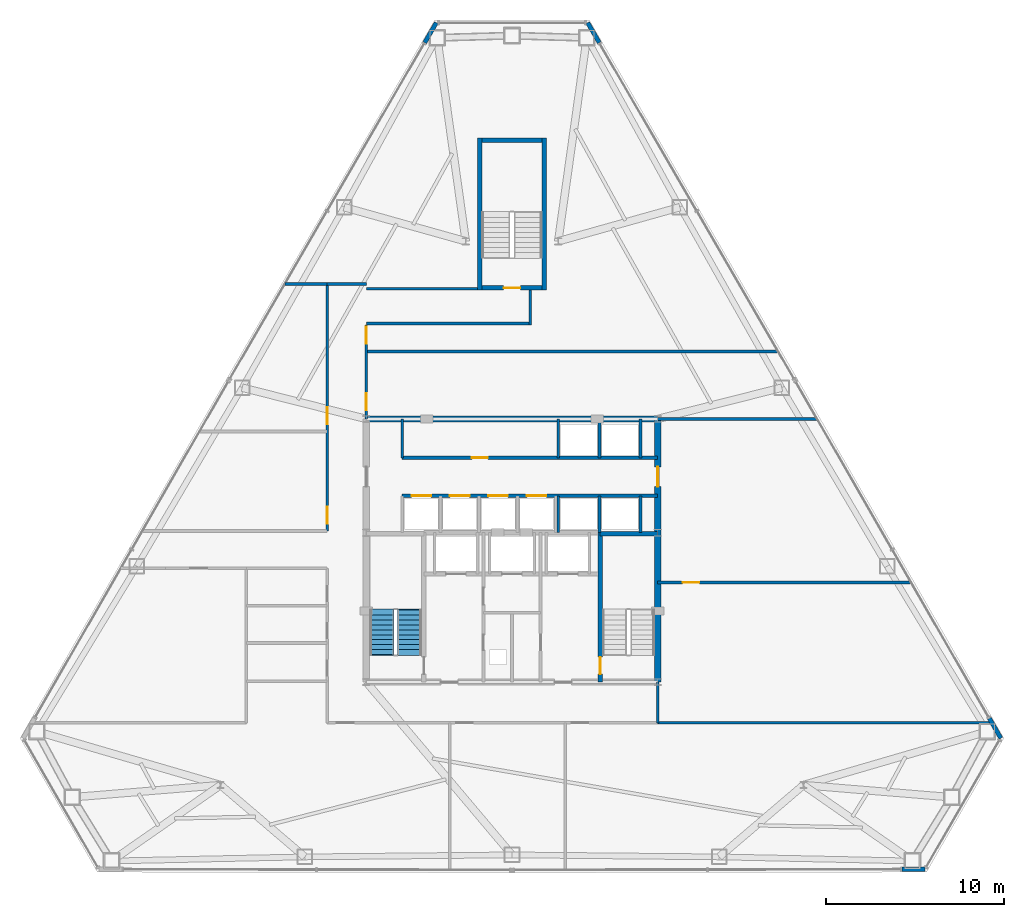
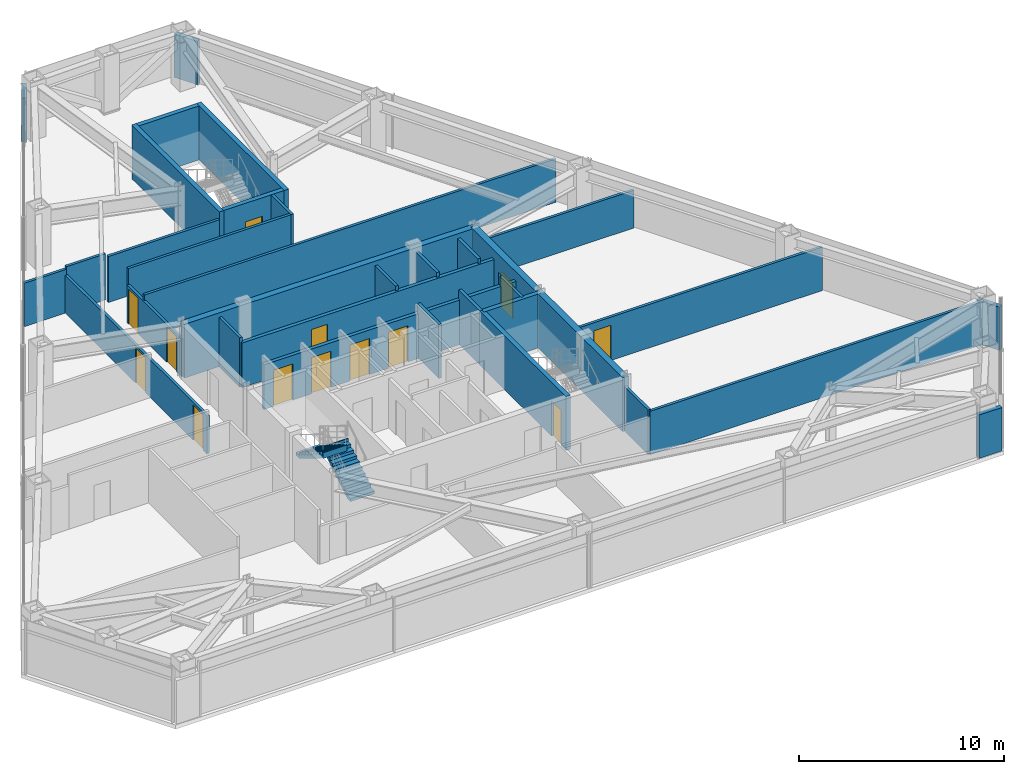
# One storey, part 11 of 13: 33 walls, 13 doors, 2 stair flights, 13 openings, 1 element without a shape of its own.
"""IFC4 building model written with IfcOpenShell, lengths in metres."""

from ifc_helpers import new_model, si_unit, direction, frame, frame_2d, origin, place, context, subcontext, project, spatial, polyline, rectangle, outline, extrude, material, layer, layer_set, type_object, element, fill, aggregate, save


model = new_model("IFC4")

# Units and contexts
model_context = context("Model", 3, precision=1e-05, world=origin(), true_north=direction((0.0, 1.0)))
body_context = subcontext(model_context, "Body", "Model", "MODEL_VIEW")
ifc_project = project(units=[si_unit("LENGTHUNIT", "METRE"), si_unit("AREAUNIT", "SQUARE_METRE"), si_unit("VOLUMEUNIT", "CUBIC_METRE"), si_unit("PLANEANGLEUNIT", "RADIAN"), si_unit("MASSUNIT", "GRAM", prefix="KILO")], contexts=[model_context])

# Site, building, storey
site_placement = place(None, origin())
site = spatial("IfcSite", under=ifc_project, at=site_placement, CompositionType="ELEMENT")
building_placement = place(site_placement, origin())
building = spatial("IfcBuilding", under=site, at=building_placement, Name="Varakhsha Concourse Tower", CompositionType="ELEMENT")
storey_placement = place(building_placement, frame((0.0, 0.0, 122.89990234375)))
storey = spatial("IfcBuildingStorey", under=building, at=storey_placement, Name="L35", CompositionType="ELEMENT", Elevation=122.89990234375)

# Wall
ifc_material_1 = material(Name="Concrete fc 65 MPa", Category="concrete")
ifc_layer_1 = layer(ifc_material_1, 0.35009765625, Name="WL-CORE-350")
ifc_layer_set_1 = layer_set([ifc_layer_1], Name="Concrete fc 65 MPa")
wall_type_1 = type_object("IfcWallType", Name="WL-CORE-350", PredefinedType="SHEAR", material=ifc_layer_set_1)
wall_1_placement = place(storey_placement, frame((31.800048828125, 31.199951171875, 0.0), z_axis=(0.0, 0.0, 1.0), x_axis=(1.0, 0.0, 0.0)))
element("IfcWall", 1, at=wall_1_placement, inside=storey, type_object=wall_type_1, Name="L35 Wall CWALL-N-L35", PredefinedType="SHEAR", context=body_context, shape_type="SweptSolid", body=[
    extrude(rectangle(XDim=16.39990234375, YDim=0.35009765625, at=frame_2d((8.199951171875, 0.0))), origin(), (0.0, 0.0, 1.0), 3.210205078125),
])

# Wall, opening, door
wall_2_placement = place(storey_placement, frame((48.199951171875, 16.39990234375, 0.0), z_axis=(0.0, 0.0, 1.0), x_axis=(0.0, 1.0, 0.0)))
wall_2 = element("IfcWall", 2, at=wall_2_placement, inside=storey, type_object=wall_type_1, Name="L35 Wall CWALL-E-L35", PredefinedType="SHEAR", context=body_context, shape_type="SweptSolid", body=[
    extrude(rectangle(XDim=14.800048828125, YDim=0.35009765625, at=frame_2d((7.39990234375, 0.0))), origin(), (0.0, 0.0, 1.0), 3.210205078125),
])
opening_1_placement = place(wall_2_placement, frame((11.0, 0.0, 0.0)))
opening_1 = element("IfcOpeningElement", 3, at=opening_1_placement, cuts=wall_2, Name="Opening DL-01", PredefinedType="OPENING", context=body_context, shape_type="SweptSolid", body=[
    extrude(rectangle(XDim=1.10009765625, YDim=2.14990234375, at=frame_2d((0.550048828125, 1.074951171875))), frame((0.0, 0.18505859375, 0.0), z_axis=(0.0, -1.0, 0.0), x_axis=(1.0, 0.0, 0.0)), (0.0, 0.0, 1.0), 0.3701171875),
])
ifc_material_2 = material(Name="Anodised Bronze Architectural Aluminium AA 6063-T6", Category="aluminium")
door_type_1 = type_object("IfcDoorType", Name="DR-LOB-1100", OperationType="NOTDEFINED", PredefinedType="DOOR", material=ifc_material_2)
door_1_placement = place(opening_1_placement, origin())
door_1 = element("IfcDoor", 4, at=door_1_placement, inside=storey, type_object=door_type_1, Name="L35 Lift Lobby East Concourse Door", OperationType="SINGLE_SWING_RIGHT", OverallHeight=2.14990234375, OverallWidth=1.10009765625, PredefinedType="DOOR", context=body_context, shape_type="SweptSolid", body=[
    extrude(rectangle(XDim=1.10009765625, YDim=2.14990234375, at=frame_2d((0.550048828125, 1.074951171875))), frame((0.0, 0.02490234375, 0.0), z_axis=(0.0, -1.0, 0.0), x_axis=(1.0, 0.0, 0.0)), (0.0, 0.0, 1.0), 0.050048828125),
])
fill(opening_1, door_1)

# Walls
ifc_material_3 = material(Name="Concrete fc 45 MPa", Category="concrete")
ifc_layer_2 = layer(ifc_material_3, 0.239990234375, Name="WL-EXT-CRN-240")
ifc_layer_set_2 = layer_set([ifc_layer_2], Name="Concrete fc 45 MPa")
wall_type_2 = type_object("IfcWallType", Name="WL-EXT-CRN-240", PredefinedType="SHEAR", material=ifc_layer_set_2)
wall_3_placement = place(storey_placement, frame((35.74072265625, 53.5029296875, 0.0), z_axis=(0.0, 0.0, 1.0), x_axis=(-0.501501953854, -0.865156512014, 0.0)))
element("IfcWall", 5, at=wall_3_placement, inside=storey, type_object=wall_type_2, Name="L35 Wind-Corner Shoulder Wall F2", PredefinedType="SHEAR", context=body_context, shape_type="SweptSolid", body=[
    extrude(rectangle(XDim=1.3017578125, YDim=0.239990234375, at=frame_2d((0.65087890625, 0.0))), origin(), (0.0, 0.0, 1.0), 2.5830078125),
])
wall_4_placement = place(storey_placement, frame((61.94580078125, 5.857666015625, 0.0), z_axis=(0.0, 0.0, 1.0), x_axis=(0.999998574928, 0.001688236199, 0.0)))
element("IfcWall", 6, at=wall_4_placement, inside=storey, type_object=wall_type_2, Name="L35 Wind-Corner Shoulder Wall F6", PredefinedType="SHEAR", context=body_context, shape_type="SweptSolid", body=[
    extrude(rectangle(XDim=1.301513671875, YDim=0.239990234375, at=frame_2d((0.65087890625, 0.0))), origin(), (0.0, 0.0, 1.0), 2.5830078125),
])
wall_5_placement = place(storey_placement, frame((67.506591796875, 13.2373046875, 0.0), z_axis=(0.0, 0.0, 1.0), x_axis=(-0.498460550087, 0.86691238312, 0.0)))
element("IfcWall", 7, at=wall_5_placement, inside=storey, type_object=wall_type_2, Name="L35 Wind-Corner Shoulder Wall F8", PredefinedType="SHEAR", context=body_context, shape_type="SweptSolid", body=[
    extrude(rectangle(XDim=1.30126953125, YDim=0.239990234375, at=frame_2d((0.650634765625, 0.0))), origin(), (0.0, 0.0, 1.0), 2.5830078125),
])
wall_6_placement = place(storey_placement, frame((44.912109375, 52.376708984375, 0.0), z_axis=(0.0, 0.0, 1.0), x_axis=(-0.501501953854, 0.865156512014, 0.0)))
element("IfcWall", 8, at=wall_6_placement, inside=storey, type_object=wall_type_2, Name="L35 Wind-Corner Shoulder Wall F9", PredefinedType="SHEAR", context=body_context, shape_type="SweptSolid", body=[
    extrude(rectangle(XDim=1.3017578125, YDim=0.239990234375, at=frame_2d((0.65087890625, 0.0))), origin(), (0.0, 0.0, 1.0), 2.5830078125),
])
ifc_material_4 = material(Name="Fire-Rated Type X Gypsum Partition Assembly", Category="gypsum")
ifc_layer_3 = layer(ifc_material_4, 0.14990234375, Name="WL-PART-150")
ifc_layer_set_3 = layer_set([ifc_layer_3], Name="Fire-Rated Type X Gypsum Partition Assembly")
wall_type_3 = type_object("IfcWallType", Name="WL-PART-150", PredefinedType="PARTITIONING", material=ifc_layer_set_3)
wall_7_placement = place(storey_placement, frame((48.199951171875, 14.10009765625, 0.0), z_axis=(0.0, 0.0, 1.0), x_axis=(0.0, 1.0, 0.0)))
element("IfcWall", 9, at=wall_7_placement, inside=storey, type_object=wall_type_3, Name="L35 Wall CRW-SE-L35", PredefinedType="PARTITIONING", context=body_context, shape_type="SweptSolid", body=[
    extrude(rectangle(XDim=2.2998046875, YDim=0.14990234375, at=frame_2d((1.14990234375, 0.0))), origin(), (0.0, 0.0, 1.0), 2.6611328125),
])

# Wall, openings, doors
wall_8_placement = place(storey_placement, frame((29.60009765625, 24.89990234375, 0.0), z_axis=(0.0, 0.0, 1.0), x_axis=(0.0, 1.0, 0.0)))
wall_8 = element("IfcWall", 10, at=wall_8_placement, inside=storey, type_object=wall_type_3, Name="L35 Wall CRW-WN-L35", PredefinedType="PARTITIONING", context=body_context, shape_type="SweptSolid", body=[
    extrude(rectangle(XDim=13.900146484375, YDim=0.14990234375, at=frame_2d((6.9501953125, 0.0))), origin(), (0.0, 0.0, 1.0), 2.252197265625),
])
opening_2_placement = place(wall_8_placement, frame((0.39990234375, 0.0, 0.0)))
opening_2 = element("IfcOpeningElement", 11, at=opening_2_placement, cuts=wall_8, Name="Opening DF-05", PredefinedType="OPENING", context=body_context, shape_type="SweptSolid", body=[
    extrude(rectangle(XDim=0.949951171875, YDim=2.10009765625, at=frame_2d((0.47509765625, 1.050048828125))), frame((0.0, 0.0849609375, 0.0), z_axis=(0.0, -1.0, 0.0), x_axis=(1.0, 0.0, 0.0)), (0.0, 0.0, 1.0), 0.169921875),
])
opening_3_placement = place(wall_8_placement, frame((6.0, 0.0, 0.0)))
opening_3 = element("IfcOpeningElement", 12, at=opening_3_placement, cuts=wall_8, Name="Opening DF-05", PredefinedType="OPENING", context=body_context, shape_type="SweptSolid", body=[
    extrude(rectangle(XDim=0.949951171875, YDim=2.10009765625, at=frame_2d((0.47509765625, 1.050048828125))), frame((0.0, 0.0849609375, 0.0), z_axis=(0.0, -1.0, 0.0), x_axis=(1.0, 0.0, 0.0)), (0.0, 0.0, 1.0), 0.169921875),
])
ifc_material_5 = material(Name="Hollow Galvanised Steel Fire Door Assembly", Category="steel")
door_type_2 = type_object("IfcDoorType", Name="DR-FD60-950", OperationType="NOTDEFINED", PredefinedType="DOOR", material=ifc_material_5)
door_2_placement = place(opening_2_placement, origin())
door_2 = element("IfcDoor", 13, at=door_2_placement, inside=storey, type_object=door_type_2, Name="L35 Client Briefing Studio L35-NW Door", OperationType="SINGLE_SWING_RIGHT", OverallHeight=2.10009765625, OverallWidth=0.949951171875, PredefinedType="DOOR", context=body_context, shape_type="SweptSolid", body=[
    extrude(rectangle(XDim=0.949951171875, YDim=2.10009765625, at=frame_2d((0.47509765625, 1.050048828125))), frame((0.0, 0.02490234375, 0.0), z_axis=(0.0, -1.0, 0.0), x_axis=(1.0, 0.0, 0.0)), (0.0, 0.0, 1.0), 0.050048828125),
])
fill(opening_2, door_2)
door_3_placement = place(opening_3_placement, origin())
door_3 = element("IfcDoor", 14, at=door_3_placement, inside=storey, type_object=door_type_2, Name="L35 Strategic Advisory Office Suite L35-W2 Door", OperationType="SINGLE_SWING_LEFT", OverallHeight=2.10009765625, OverallWidth=0.949951171875, PredefinedType="DOOR", context=body_context, shape_type="SweptSolid", body=[
    extrude(rectangle(XDim=0.949951171875, YDim=2.10009765625, at=frame_2d((0.47509765625, 1.050048828125))), frame((0.0, 0.02490234375, 0.0), z_axis=(0.0, -1.0, 0.0), x_axis=(1.0, 0.0, 0.0)), (0.0, 0.0, 1.0), 0.050048828125),
])
fill(opening_3, door_3)

wall_9_placement = place(storey_placement, frame((31.800048828125, 31.199951171875, 0.0), z_axis=(0.0, 0.0, 1.0), x_axis=(0.0, 1.0, 0.0)))
wall_9 = element("IfcWall", 15, at=wall_9_placement, inside=storey, type_object=wall_type_3, Name="L35 Wall CRW-NE-L35", PredefinedType="PARTITIONING", context=body_context, shape_type="SweptSolid", body=[
    extrude(rectangle(XDim=5.300048828125, YDim=0.14990234375, at=frame_2d((2.64990234375, 0.0))), origin(), (0.0, 0.0, 1.0), 2.252197265625),
])
opening_4_placement = place(wall_9_placement, frame((0.5, 0.0, 0.0)))
opening_4 = element("IfcOpeningElement", 16, at=opening_4_placement, cuts=wall_9, Name="Opening DF-05", PredefinedType="OPENING", context=body_context, shape_type="SweptSolid", body=[
    extrude(rectangle(XDim=0.949951171875, YDim=2.10009765625, at=frame_2d((0.47509765625, 1.050048828125))), frame((0.0, 0.0849609375, 0.0), z_axis=(0.0, -1.0, 0.0), x_axis=(1.0, 0.0, 0.0)), (0.0, 0.0, 1.0), 0.169921875),
])
opening_5_placement = place(wall_9_placement, frame((4.22998046875, 0.0, 0.0)))
opening_5 = element("IfcOpeningElement", 17, at=opening_5_placement, cuts=wall_9, Name="Opening DF-05", PredefinedType="OPENING", context=body_context, shape_type="SweptSolid", body=[
    extrude(rectangle(XDim=0.949951171875, YDim=2.10009765625, at=frame_2d((0.47509765625, 1.050048828125))), frame((0.0, 0.0849609375, 0.0), z_axis=(0.0, -1.0, 0.0), x_axis=(1.0, 0.0, 0.0)), (0.0, 0.0, 1.0), 0.169921875),
])
door_4_placement = place(opening_4_placement, origin())
door_4 = element("IfcDoor", 18, at=door_4_placement, inside=storey, type_object=door_type_2, Name="L35 Mountain View Project Controls Workroom L35-NE1 Door", OperationType="SINGLE_SWING_RIGHT", OverallHeight=2.10009765625, OverallWidth=0.949951171875, PredefinedType="DOOR", context=body_context, shape_type="SweptSolid", body=[
    extrude(rectangle(XDim=0.949951171875, YDim=2.10009765625, at=frame_2d((0.47509765625, 1.050048828125))), frame((0.0, 0.02490234375, 0.0), z_axis=(0.0, -1.0, 0.0), x_axis=(1.0, 0.0, 0.0)), (0.0, 0.0, 1.0), 0.050048828125),
])
fill(opening_4, door_4)
door_5_placement = place(opening_5_placement, origin())
door_5 = element("IfcDoor", 19, at=door_5_placement, inside=storey, type_object=door_type_2, Name="L35 Apex Strategic Advisory Office Suite L35-NE2 Door", OperationType="SINGLE_SWING_RIGHT", OverallHeight=2.10009765625, OverallWidth=0.949951171875, PredefinedType="DOOR", context=body_context, shape_type="SweptSolid", body=[
    extrude(rectangle(XDim=0.949951171875, YDim=2.10009765625, at=frame_2d((0.47509765625, 1.050048828125))), frame((0.0, 0.02490234375, 0.0), z_axis=(0.0, -1.0, 0.0), x_axis=(1.0, 0.0, 0.0)), (0.0, 0.0, 1.0), 0.050048828125),
])
fill(opening_5, door_5)

# Walls
wall_10_placement = place(storey_placement, frame((29.60009765625, 38.800048828125, 0.0), z_axis=(0.0, 0.0, 1.0), x_axis=(1.0, 0.0, 0.0)))
element("IfcWall", 20, at=wall_10_placement, inside=storey, type_object=wall_type_3, Name="L35 Wall CRW-NCAP-L35", PredefinedType="PARTITIONING", context=body_context, shape_type="SweptSolid", body=[
    extrude(rectangle(XDim=2.199951171875, YDim=0.14990234375, at=frame_2d((1.10009765625, 0.0))), origin(), (0.0, 0.0, 1.0), 2.7431640625),
])
wall_11_placement = place(storey_placement, frame((27.223388671875, 38.800048828125, 0.0), z_axis=(0.0, 0.0, 1.0), x_axis=(1.0, 0.0, 0.0)))
element("IfcWall", 21, at=wall_11_placement, inside=storey, type_object=wall_type_3, Name="L35 Wall ODIV-NWT-L35", PredefinedType="PARTITIONING", context=body_context, shape_type="SweptSolid", body=[
    extrude(rectangle(XDim=2.376708984375, YDim=0.14990234375, at=frame_2d((1.1884765625, 0.0))), origin(), (0.0, 0.0, 1.0), 2.589111328125),
])
wall_12_placement = place(storey_placement, frame((48.199951171875, 31.199951171875, 0.0), z_axis=(0.0, 0.0, 1.0), x_axis=(1.0, 0.0, 0.0)))
element("IfcWall", 22, at=wall_12_placement, inside=storey, type_object=wall_type_3, Name="L35 Wall ODIV-NEB-L35", PredefinedType="PARTITIONING", context=body_context, shape_type="SweptSolid", body=[
    extrude(rectangle(XDim=8.971923828125, YDim=0.14990234375, at=frame_2d((4.48583984375, 0.0))), origin(), (0.0, 0.0, 1.0), 2.252197265625),
])
wall_13_placement = place(storey_placement, frame((31.800048828125, 35.0, 0.0), z_axis=(0.0, 0.0, 1.0), x_axis=(1.0, 0.0, 0.0)))
element("IfcWall", 23, at=wall_13_placement, inside=storey, type_object=wall_type_3, Name="L35 Wall ODIV-NE1-L35", PredefinedType="PARTITIONING", context=body_context, shape_type="SweptSolid", body=[
    extrude(rectangle(XDim=23.17919921875, YDim=0.14990234375, at=frame_2d((11.589599609375, 0.0))), origin(), (0.0, 0.0, 1.0), 2.589111328125),
])
wall_14_placement = place(storey_placement, frame((48.199951171875, 14.10009765625, 0.0), z_axis=(0.0, 0.0, 1.0), x_axis=(1.0, 0.0, 0.0)))
element("IfcWall", 24, at=wall_14_placement, inside=storey, type_object=wall_type_3, Name="L35 Wall ODIV-EB0-L35", PredefinedType="PARTITIONING", context=body_context, shape_type="SweptSolid", body=[
    extrude(rectangle(XDim=18.804931640625, YDim=0.14990234375, at=frame_2d((9.40234375, 0.0))), origin(), (0.0, 0.0, 1.0), 2.589111328125),
])

# Wall, opening, door
wall_15_placement = place(storey_placement, frame((48.199951171875, 22.0, 0.0), z_axis=(0.0, 0.0, 1.0), x_axis=(1.0, 0.0, 0.0)))
wall_15 = element("IfcWall", 25, at=wall_15_placement, inside=storey, type_object=wall_type_3, Name="L35 Wall ODIV-E1-L35", PredefinedType="PARTITIONING", context=body_context, shape_type="SweptSolid", body=[
    extrude(rectangle(XDim=14.26220703125, YDim=0.14990234375, at=frame_2d((7.131103515625, 0.0))), origin(), (0.0, 0.0, 1.0), 2.589111328125),
])
opening_6_placement = place(wall_15_placement, frame((1.39990234375, 0.0, 0.0)))
opening_6 = element("IfcOpeningElement", 26, at=opening_6_placement, cuts=wall_15, Name="Opening DF-05", PredefinedType="OPENING", context=body_context, shape_type="SweptSolid", body=[
    extrude(rectangle(XDim=0.949951171875, YDim=2.10009765625, at=frame_2d((0.47509765625, 1.050048828125))), frame((0.0, 0.0849609375, 0.0), z_axis=(0.0, -1.0, 0.0), x_axis=(1.0, 0.0, 0.0)), (0.0, 0.0, 1.0), 0.169921875),
])
door_6_placement = place(opening_6_placement, origin())
door_6 = element("IfcDoor", 27, at=door_6_placement, inside=storey, type_object=door_type_2, Name="L35 East Suite Interconnect Door 1", OperationType="SINGLE_SWING_LEFT", OverallHeight=2.10009765625, OverallWidth=0.949951171875, PredefinedType="DOOR", context=body_context, shape_type="SweptSolid", body=[
    extrude(rectangle(XDim=0.949951171875, YDim=2.10009765625, at=frame_2d((0.47509765625, 1.050048828125))), frame((0.0, 0.02490234375, 0.0), z_axis=(0.0, -1.0, 0.0), x_axis=(1.0, 0.0, 0.0)), (0.0, 0.0, 1.0), 0.050048828125),
])
fill(opening_6, door_6)

# Walls
wall_16_placement = place(storey_placement, frame((31.800048828125, 36.574951171875, 0.0), z_axis=(0.0, 0.0, 1.0), x_axis=(1.0, 0.0, 0.0)))
element("IfcWall", 28, at=wall_16_placement, inside=storey, type_object=wall_type_3, Name="L35 Wall STLK-S-L35", PredefinedType="PARTITIONING", context=body_context, shape_type="SweptSolid", body=[
    extrude(rectangle(XDim=9.14990234375, YDim=0.14990234375, at=frame_2d((4.574951171875, 0.0))), origin(), (0.0, 0.0, 1.0), 3.210205078125),
])
wall_17_placement = place(storey_placement, frame((31.800048828125, 38.52490234375, 0.0), z_axis=(0.0, 0.0, 1.0), x_axis=(1.0, 0.0, 0.0)))
element("IfcWall", 29, at=wall_17_placement, inside=storey, type_object=wall_type_3, Name="L35 Wall STLK-N-L35", PredefinedType="PARTITIONING", context=body_context, shape_type="SweptSolid", body=[
    extrude(rectangle(XDim=6.25, YDim=0.14990234375, at=frame_2d((3.125, 0.0))), origin(), (0.0, 0.0, 1.0), 2.7431640625),
])
wall_18_placement = place(storey_placement, frame((41.02490234375, 36.5, 0.0), z_axis=(0.0, 0.0, 1.0), x_axis=(0.0, 1.0, 0.0)))
element("IfcWall", 30, at=wall_18_placement, inside=storey, type_object=wall_type_3, Name="L35 Wall STLK-E-L35", PredefinedType="PARTITIONING", context=body_context, shape_type="SweptSolid", body=[
    extrude(rectangle(XDim=1.949951171875, YDim=0.14990234375, at=frame_2d((0.97509765625, 0.0))), origin(), (0.0, 0.0, 1.0), 3.210205078125),
])

# Wall, opening, door
ifc_layer_4 = layer(ifc_material_4, 0.199951171875, Name="WL-SHAFT-220")
ifc_layer_set_4 = layer_set([ifc_layer_4], Name="Fire-Rated Type X Gypsum Partition Assembly")
wall_type_4 = type_object("IfcWallType", Name="WL-SHAFT-220", PredefinedType="SOLIDWALL", material=ifc_layer_set_4)
wall_19_placement = place(storey_placement, frame((33.820068359375, 29.02001953125, 0.0), z_axis=(0.0, 0.0, 1.0), x_axis=(1.0, 0.0, 0.0)))
wall_19 = element("IfcWall", 31, at=wall_19_placement, inside=storey, type_object=wall_type_4, Name="L35 Wall PLW-N-L35", PredefinedType="SOLIDWALL", context=body_context, shape_type="SweptSolid", body=[
    extrude(rectangle(XDim=14.3798828125, YDim=0.199951171875, at=frame_2d((7.18994140625, 0.0))), origin(), (0.0, 0.0, 1.0), 2.6611328125),
])
opening_7_placement = place(wall_19_placement, frame((3.919921875, 0.0, 0.0)))
opening_7 = element("IfcOpeningElement", 32, at=opening_7_placement, cuts=wall_19, Name="Opening DF-06", PredefinedType="OPENING", context=body_context, shape_type="SweptSolid", body=[
    extrude(rectangle(XDim=0.89990234375, YDim=2.10009765625, at=frame_2d((0.449951171875, 1.050048828125))), frame((0.0, 0.10986328125, 0.0), z_axis=(0.0, -1.0, 0.0), x_axis=(1.0, 0.0, 0.0)), (0.0, 0.0, 1.0), 0.219970703125),
])
door_type_3 = type_object("IfcDoorType", Name="DR-FD60-900", OperationType="NOTDEFINED", PredefinedType="DOOR", material=ifc_material_5)
door_7_placement = place(opening_7_placement, origin())
door_7 = element("IfcDoor", 33, at=door_7_placement, inside=storey, type_object=door_type_3, Name="L35 Tenant Archive and IT Server Room Door", OperationType="SINGLE_SWING_LEFT", OverallHeight=2.10009765625, OverallWidth=0.89990234375, PredefinedType="DOOR", context=body_context, shape_type="SweptSolid", body=[
    extrude(rectangle(XDim=0.89990234375, YDim=2.10009765625, at=frame_2d((0.449951171875, 1.050048828125))), frame((0.0, 0.02490234375, 0.0), z_axis=(0.0, -1.0, 0.0), x_axis=(1.0, 0.0, 0.0)), (0.0, 0.0, 1.0), 0.050048828125),
])
fill(opening_7, door_7)

# Wall, openings, doors
wall_20_placement = place(storey_placement, frame((33.820068359375, 26.8798828125, 0.0), z_axis=(0.0, 0.0, 1.0), x_axis=(1.0, 0.0, 0.0)))
wall_20 = element("IfcWall", 34, at=wall_20_placement, inside=storey, type_object=wall_type_4, Name="L35 Wall PLW-S-L35", PredefinedType="SOLIDWALL", context=body_context, shape_type="SweptSolid", body=[
    extrude(rectangle(XDim=14.3798828125, YDim=0.199951171875, at=frame_2d((7.18994140625, 0.0))), origin(), (0.0, 0.0, 1.0), 2.6611328125),
])
opening_8_placement = place(wall_20_placement, frame((0.530029296875, 0.0, 0.0)))
opening_8 = element("IfcOpeningElement", 35, at=opening_8_placement, cuts=wall_20, Name="Opening LD-LF-P05", PredefinedType="OPENING", context=body_context, shape_type="SweptSolid", body=[
    extrude(rectangle(XDim=1.10009765625, YDim=2.14990234375, at=frame_2d((0.550048828125, 1.074951171875))), frame((0.0, 0.10986328125, 0.0), z_axis=(0.0, -1.0, 0.0), x_axis=(1.0, 0.0, 0.0)), (0.0, 0.0, 1.0), 0.219970703125),
])
opening_9_placement = place(wall_20_placement, frame((2.68994140625, 0.0, 0.0)))
opening_9 = element("IfcOpeningElement", 36, at=opening_9_placement, cuts=wall_20, Name="Opening LD-LF-P06", PredefinedType="OPENING", context=body_context, shape_type="SweptSolid", body=[
    extrude(rectangle(XDim=1.10009765625, YDim=2.14990234375, at=frame_2d((0.550048828125, 1.074951171875))), frame((0.0, 0.10986328125, 0.0), z_axis=(0.0, -1.0, 0.0), x_axis=(1.0, 0.0, 0.0)), (0.0, 0.0, 1.0), 0.219970703125),
])
opening_10_placement = place(wall_20_placement, frame((4.85009765625, 0.0, 0.0)))
opening_10 = element("IfcOpeningElement", 37, at=opening_10_placement, cuts=wall_20, Name="Opening LD-LF-P07", PredefinedType="OPENING", context=body_context, shape_type="SweptSolid", body=[
    extrude(rectangle(XDim=1.10009765625, YDim=2.14990234375, at=frame_2d((0.550048828125, 1.074951171875))), frame((0.0, 0.10986328125, 0.0), z_axis=(0.0, -1.0, 0.0), x_axis=(1.0, 0.0, 0.0)), (0.0, 0.0, 1.0), 0.219970703125),
])
opening_11_placement = place(wall_20_placement, frame((7.010009765625, 0.0, 0.0)))
opening_11 = element("IfcOpeningElement", 38, at=opening_11_placement, cuts=wall_20, Name="Opening LD-LF-P08", PredefinedType="OPENING", context=body_context, shape_type="SweptSolid", body=[
    extrude(rectangle(XDim=1.10009765625, YDim=2.14990234375, at=frame_2d((0.550048828125, 1.074951171875))), frame((0.0, 0.10986328125, 0.0), z_axis=(0.0, -1.0, 0.0), x_axis=(1.0, 0.0, 0.0)), (0.0, 0.0, 1.0), 0.219970703125),
])
ifc_material_6 = material(Name="Brushed Austenitic Stainless Steel AISI 316", Category="steel")
door_type_4 = type_object("IfcDoorType", Name="DR-LD-1100", OperationType="DOUBLE_DOOR_SLIDING", PredefinedType="DOOR", material=ifc_material_6)
door_8_placement = place(opening_8_placement, origin())
door_8 = element("IfcDoor", 39, at=door_8_placement, inside=storey, type_object=door_type_4, Name="Lift Landing Door LF-P05 L35", OperationType="DOUBLE_DOOR_SLIDING", OverallHeight=2.14990234375, OverallWidth=1.10009765625, PredefinedType="DOOR", context=body_context, shape_type="SweptSolid", body=[
    extrude(rectangle(XDim=1.10009765625, YDim=2.14990234375, at=frame_2d((0.550048828125, 1.074951171875))), frame((0.0, 0.02490234375, 0.0), z_axis=(0.0, -1.0, 0.0), x_axis=(1.0, 0.0, 0.0)), (0.0, 0.0, 1.0), 0.050048828125),
])
fill(opening_8, door_8)
door_9_placement = place(opening_9_placement, origin())
door_9 = element("IfcDoor", 40, at=door_9_placement, inside=storey, type_object=door_type_4, Name="Lift Landing Door LF-P06 L35", OperationType="DOUBLE_DOOR_SLIDING", OverallHeight=2.14990234375, OverallWidth=1.10009765625, PredefinedType="DOOR", context=body_context, shape_type="SweptSolid", body=[
    extrude(rectangle(XDim=1.10009765625, YDim=2.14990234375, at=frame_2d((0.550048828125, 1.074951171875))), frame((0.0, 0.02490234375, 0.0), z_axis=(0.0, -1.0, 0.0), x_axis=(1.0, 0.0, 0.0)), (0.0, 0.0, 1.0), 0.050048828125),
])
fill(opening_9, door_9)
door_10_placement = place(opening_10_placement, origin())
door_10 = element("IfcDoor", 41, at=door_10_placement, inside=storey, type_object=door_type_4, Name="Lift Landing Door LF-P07 L35", OperationType="DOUBLE_DOOR_SLIDING", OverallHeight=2.14990234375, OverallWidth=1.10009765625, PredefinedType="DOOR", context=body_context, shape_type="SweptSolid", body=[
    extrude(rectangle(XDim=1.10009765625, YDim=2.14990234375, at=frame_2d((0.550048828125, 1.074951171875))), frame((0.0, 0.02490234375, 0.0), z_axis=(0.0, -1.0, 0.0), x_axis=(1.0, 0.0, 0.0)), (0.0, 0.0, 1.0), 0.050048828125),
])
fill(opening_10, door_10)
door_11_placement = place(opening_11_placement, origin())
door_11 = element("IfcDoor", 42, at=door_11_placement, inside=storey, type_object=door_type_4, Name="Lift Landing Door LF-P08 L35", OperationType="DOUBLE_DOOR_SLIDING", OverallHeight=2.14990234375, OverallWidth=1.10009765625, PredefinedType="DOOR", context=body_context, shape_type="SweptSolid", body=[
    extrude(rectangle(XDim=1.10009765625, YDim=2.14990234375, at=frame_2d((0.550048828125, 1.074951171875))), frame((0.0, 0.02490234375, 0.0), z_axis=(0.0, -1.0, 0.0), x_axis=(1.0, 0.0, 0.0)), (0.0, 0.0, 1.0), 0.050048828125),
])
fill(opening_11, door_11)

# Walls
for number, where, z_axis, x_axis, name in (
    (43, (33.820068359375, 29.02001953125, 0.0), (0.0, 0.0, 1.0), (0.0, 1.0, 0.0), "L35 Wall WBOH-E1-L35"),
    (44, (42.60009765625, 29.02001953125, 0.0), (0.0, 0.0, 1.0), (0.0, 1.0, 0.0), "L35 Wall SHW-LF-P09-W-L35"),
    (45, (44.919921875, 29.02001953125, 0.0), (0.0, 0.0, 1.0), (0.0, 1.0, 0.0), "L35 Wall SHW-LF-P09-E-L35"),
    (46, (47.239990234375, 29.02001953125, 0.0), (0.0, 0.0, 1.0), (0.0, 1.0, 0.0), "L35 Wall SHW-LF-P10-E-L35"),
):
    element("IfcWall", number, at=place(storey_placement, frame(where, z_axis=z_axis, x_axis=x_axis)), inside=storey, type_object=wall_type_4, Name=name, PredefinedType="SOLIDWALL", context=body_context, shape_type="SweptSolid", body=[
        extrude(rectangle(XDim=2.179931640625, YDim=0.159912109375, at=frame_2d((1.08984375, 0.0))), origin(), (0.0, 0.0, 1.0), 2.93798828125),
    ])
for number, where, z_axis, x_axis, name in (
    (47, (42.60009765625, 24.800048828125, 0.0), (0.0, 0.0, 1.0), (0.0, 1.0, 0.0), "L35 Wall SHW-LF-P11-W-L35"),
    (48, (44.919921875, 24.800048828125, 0.0), (0.0, 0.0, 1.0), (0.0, 1.0, 0.0), "L35 Wall SHW-LF-P11-E-L35"),
    (49, (47.239990234375, 24.800048828125, 0.0), (0.0, 0.0, 1.0), (0.0, 1.0, 0.0), "L35 Wall SHW-LF-P12-E-L35"),
):
    element("IfcWall", number, at=place(storey_placement, frame(where, z_axis=z_axis, x_axis=x_axis)), inside=storey, type_object=wall_type_4, Name=name, PredefinedType="SOLIDWALL", context=body_context, shape_type="SweptSolid", body=[
        extrude(rectangle(XDim=2.079833984375, YDim=0.159912109375, at=frame_2d((1.0400390625, 0.0))), origin(), (0.0, 0.0, 1.0), 3.210205078125),
    ])

# Wall, opening, door
ifc_layer_5 = layer(ifc_material_3, 0.25, Name="WL-STAIR-250")
ifc_layer_set_5 = layer_set([ifc_layer_5], Name="Concrete fc 45 MPa")
wall_type_5 = type_object("IfcWallType", Name="WL-STAIR-250", PredefinedType="SHEAR", material=ifc_layer_set_5)
wall_21_placement = place(storey_placement, frame((44.955078125, 16.39990234375, 0.0), z_axis=(0.0, 0.0, 1.0), x_axis=(0.0, 1.0, 0.0)))
wall_21 = element("IfcWall", 50, at=wall_21_placement, inside=storey, type_object=wall_type_5, Name="L35 Wall SWALL-ST2-W-L35", PredefinedType="SHEAR", context=body_context, shape_type="SweptSolid", body=[
    extrude(rectangle(XDim=8.400146484375, YDim=0.25, at=frame_2d((4.2001953125, 0.0))), origin(), (0.0, 0.0, 1.0), 3.210205078125),
])
opening_12_placement = place(wall_21_placement, frame((0.449951171875, 0.0, 0.0)))
opening_12 = element("IfcOpeningElement", 51, at=opening_12_placement, cuts=wall_21, Name="Opening DF-03", PredefinedType="OPENING", context=body_context, shape_type="SweptSolid", body=[
    extrude(rectangle(XDim=0.949951171875, YDim=2.10009765625, at=frame_2d((0.47509765625, 1.050048828125))), frame((0.0, 0.135009765625, 0.0), z_axis=(0.0, -1.0, 0.0), x_axis=(1.0, 0.0, 0.0)), (0.0, 0.0, 1.0), 0.27001953125),
])
door_type_5 = type_object("IfcDoorType", Name="DR-FD90-950", OperationType="NOTDEFINED", PredefinedType="DOOR", material=ifc_material_5)
door_12_placement = place(opening_12_placement, origin())
door_12 = element("IfcDoor", 52, at=door_12_placement, inside=storey, type_object=door_type_5, Name="L35 Stair ST2 Fire Door", OperationType="SINGLE_SWING_RIGHT", OverallHeight=2.10009765625, OverallWidth=0.949951171875, PredefinedType="DOOR", context=body_context, shape_type="SweptSolid", body=[
    extrude(rectangle(XDim=0.949951171875, YDim=2.10009765625, at=frame_2d((0.47509765625, 1.050048828125))), frame((0.0, 0.02490234375, 0.0), z_axis=(0.0, -1.0, 0.0), x_axis=(1.0, 0.0, 0.0)), (0.0, 0.0, 1.0), 0.050048828125),
])
fill(opening_12, door_12)

# Walls
wall_22_placement = place(storey_placement, frame((44.955078125, 24.7548828125, 0.0), z_axis=(0.0, 0.0, 1.0), x_axis=(1.0, 0.0, 0.0)))
element("IfcWall", 53, at=wall_22_placement, inside=storey, type_object=wall_type_5, Name="L35 Wall SWALL-ST2-N-L35", PredefinedType="SHEAR", context=body_context, shape_type="SweptSolid", body=[
    extrude(rectangle(XDim=3.244873046875, YDim=0.25, at=frame_2d((1.62255859375, 0.0))), origin(), (0.0, 0.0, 1.0), 3.210205078125),
])
for number, where, z_axis, x_axis, name in (
    (54, (38.175048828125, 38.449951171875, 0.0), (0.0, 0.0, 1.0), (0.0, 1.0, 0.0), "L35 Wall SWALL-ST5-W-L35"),
    (55, (41.824951171875, 38.449951171875, 0.0), (0.0, 0.0, 1.0), (0.0, 1.0, 0.0), "L35 Wall SWALL-ST5-E-L35"),
):
    element("IfcWall", number, at=place(storey_placement, frame(where, z_axis=z_axis, x_axis=x_axis)), inside=storey, type_object=wall_type_5, Name=name, PredefinedType="SHEAR", context=body_context, shape_type="SweptSolid", body=[
        extrude(rectangle(XDim=8.550048828125, YDim=0.25, at=frame_2d((4.27490234375, 0.0))), origin(), (0.0, 0.0, 1.0), 3.210205078125),
    ])

# Wall, opening, door
wall_23_placement = place(storey_placement, frame((38.300048828125, 38.574951171875, 0.0), z_axis=(0.0, 0.0, 1.0), x_axis=(1.0, 0.0, 0.0)))
wall_23 = element("IfcWall", 56, at=wall_23_placement, inside=storey, type_object=wall_type_5, Name="L35 Wall SWALL-ST5-S-L35", PredefinedType="SHEAR", context=body_context, shape_type="SweptSolid", body=[
    extrude(rectangle(XDim=3.39990234375, YDim=0.25, at=frame_2d((1.699951171875, 0.0))), origin(), (0.0, 0.0, 1.0), 3.210205078125),
])
opening_13_placement = place(wall_23_placement, frame((1.22509765625, 0.0, 0.0)))
opening_13 = element("IfcOpeningElement", 57, at=opening_13_placement, cuts=wall_23, Name="Opening DF-03", PredefinedType="OPENING", context=body_context, shape_type="SweptSolid", body=[
    extrude(rectangle(XDim=0.949951171875, YDim=2.10009765625, at=frame_2d((0.47509765625, 1.050048828125))), frame((0.0, 0.135009765625, 0.0), z_axis=(0.0, -1.0, 0.0), x_axis=(1.0, 0.0, 0.0)), (0.0, 0.0, 1.0), 0.27001953125),
])
door_13_placement = place(opening_13_placement, origin())
door_13 = element("IfcDoor", 58, at=door_13_placement, inside=storey, type_object=door_type_5, Name="L35 Stair ST5 Fire Door", OperationType="SINGLE_SWING_RIGHT", OverallHeight=2.10009765625, OverallWidth=0.949951171875, PredefinedType="DOOR", context=body_context, shape_type="SweptSolid", body=[
    extrude(rectangle(XDim=0.949951171875, YDim=2.10009765625, at=frame_2d((0.47509765625, 1.050048828125))), frame((0.0, 0.02490234375, 0.0), z_axis=(0.0, -1.0, 0.0), x_axis=(1.0, 0.0, 0.0)), (0.0, 0.0, 1.0), 0.050048828125),
])
fill(opening_13, door_13)

# Wall
wall_24_placement = place(storey_placement, frame((38.300048828125, 46.875, 0.0), z_axis=(0.0, 0.0, 1.0), x_axis=(1.0, 0.0, 0.0)))
element("IfcWall", 59, at=wall_24_placement, inside=storey, type_object=wall_type_5, Name="L35 Wall SWALL-ST5-N-L35", PredefinedType="SHEAR", context=body_context, shape_type="SweptSolid", body=[
    extrude(rectangle(XDim=3.39990234375, YDim=0.25, at=frame_2d((1.699951171875, 0.0))), origin(), (0.0, 0.0, 1.0), 3.210205078125),
])

# Stair, stair flights
stair_type = type_object("IfcStairType", Name="ST-DOGLEG-1360", PredefinedType="HALF_TURN_STAIR", material=ifc_material_3)
stair_placement = place(storey_placement, origin())
stair = element("IfcStair", 60, at=stair_placement, inside=storey, type_object=stair_type, Name="L35 Protected Exit Stair ST1", PredefinedType="HALF_TURN_STAIR")
stair_flight_type = type_object("IfcStairFlightType", Name="STF-1360-R1725", PredefinedType="STRAIGHT", material=ifc_material_3)
stair_flight_1_placement = place(storey_placement, frame((34.239990234375, 17.93994140625, 0.0), z_axis=(0.0, 0.0, 1.0), x_axis=(0.0, 1.0, 0.0)))
stair_flight_1 = element("IfcStairFlight", 61, at=stair_flight_1_placement, type_object=stair_flight_type, Name="ST1 flight 1", NumberOfRisers=10, NumberOfTreads=9, PredefinedType="STRAIGHT", RiserHeight=0.1725, TreadLength=0.28, context=body_context, shape_type="SweptSolid", body=[
    extrude(outline(polyline([(-0.06005859375, 0.0), (-0.06005859375, 0.172607421875), (0.0, 0.172607421875), (0.280029296875, 0.172607421875), (0.280029296875, 0.344970703125), (0.56005859375, 0.344970703125), (0.56005859375, 0.517578125), (0.840087890625, 0.517578125), (0.840087890625, 0.68994140625), (1.1201171875, 0.68994140625), (1.1201171875, 0.862548828125), (1.39990234375, 0.862548828125), (1.39990234375, 1.034912109375), (1.679931640625, 1.034912109375), (1.679931640625, 1.20751953125), (1.9599609375, 1.20751953125), (1.9599609375, 1.3798828125), (2.239990234375, 1.3798828125), (2.239990234375, 1.552490234375), (2.52001953125, 1.552490234375), (2.52001953125, 1.72509765625), (2.580078125, 1.72509765625), (2.580078125, 1.37646484375), (2.52001953125, 1.37646484375), (0.285888671875, 0.0), (-0.06005859375, 0.0)])), frame((0.0, 0.68017578125, 0.0), z_axis=(0.0, -1.0, 0.0), x_axis=(1.0, 0.0, 0.0)), (0.0, 0.0, 1.0), 1.360107421875),
])
stair_flight_2_placement = place(storey_placement, frame((32.679931640625, 20.4599609375, 1.72509765625), z_axis=(0.0, 0.0, 1.0), x_axis=(0.0, -1.0, 0.0)))
stair_flight_2 = element("IfcStairFlight", 62, at=stair_flight_2_placement, type_object=stair_flight_type, Name="ST1 flight 2", NumberOfRisers=10, NumberOfTreads=9, PredefinedType="STRAIGHT", RiserHeight=0.1725, TreadLength=0.28, context=body_context, shape_type="SweptSolid", body=[
    extrude(outline(polyline([(-0.06005859375, 0.0), (-0.06005859375, 0.172607421875), (0.0, 0.172607421875), (0.280029296875, 0.172607421875), (0.280029296875, 0.344970703125), (0.56005859375, 0.344970703125), (0.56005859375, 0.517578125), (0.840087890625, 0.517578125), (0.840087890625, 0.68994140625), (1.1201171875, 0.68994140625), (1.1201171875, 0.862548828125), (1.39990234375, 0.862548828125), (1.39990234375, 1.034912109375), (1.679931640625, 1.034912109375), (1.679931640625, 1.20751953125), (1.9599609375, 1.20751953125), (1.9599609375, 1.3798828125), (2.239990234375, 1.3798828125), (2.239990234375, 1.552490234375), (2.52001953125, 1.552490234375), (2.52001953125, 1.72509765625), (2.580078125, 1.72509765625), (2.580078125, 1.37646484375), (2.52001953125, 1.37646484375), (0.285888671875, 0.0), (-0.06005859375, 0.0)])), frame((0.0, 0.68017578125, 0.0), z_axis=(0.0, -1.0, 0.0), x_axis=(1.0, 0.0, 0.0)), (0.0, 0.0, 1.0), 1.360107421875),
])
aggregate(stair, [stair_flight_1, stair_flight_2])

save(model, "model.ifc")
